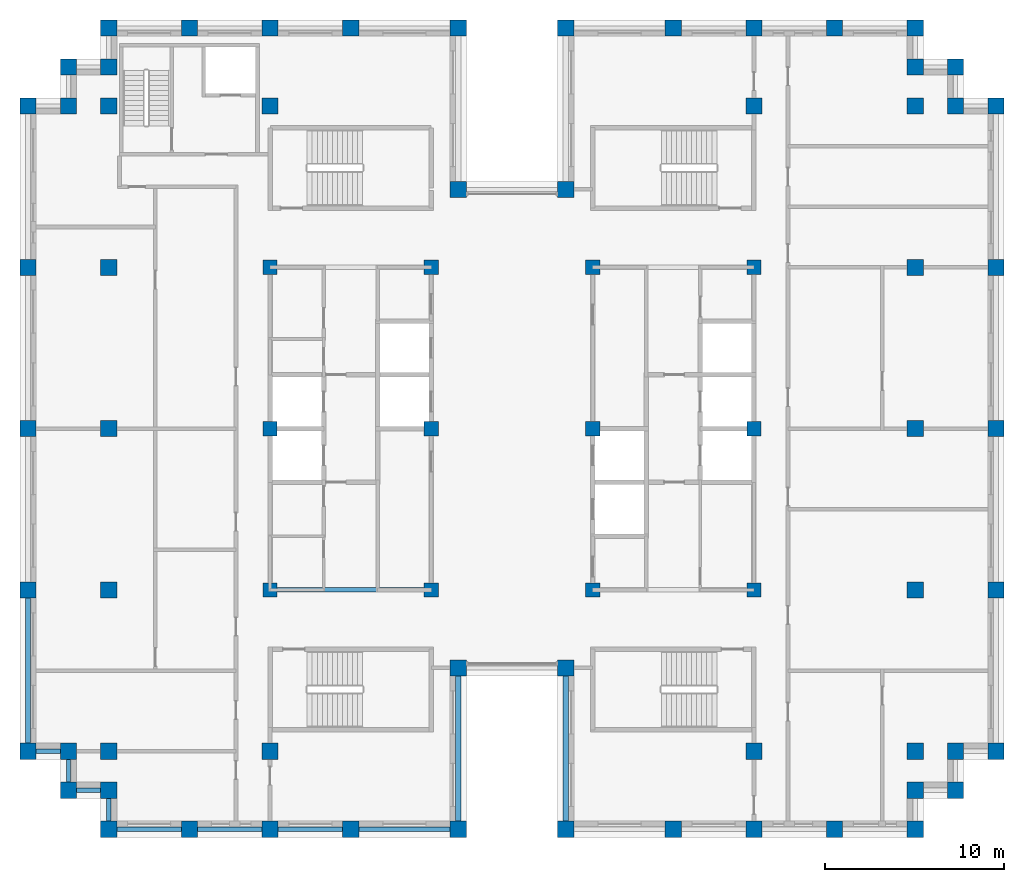
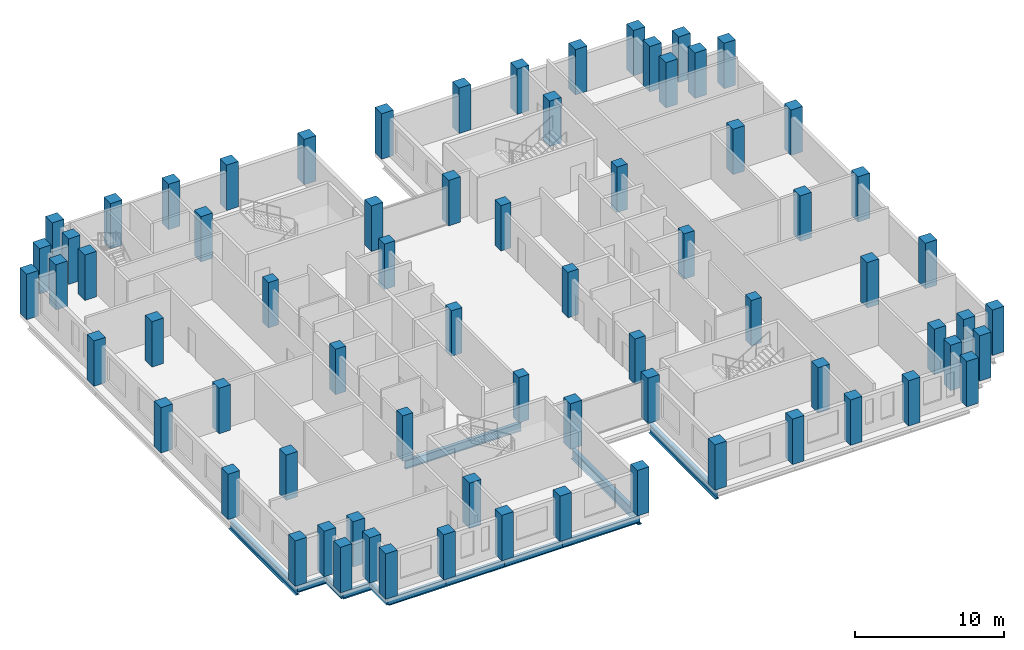
# One storey, part 1 of 13: 72 columns, 12 beams.
"""IFC4 building model written with IfcOpenShell, lengths in metres."""

from ifc_helpers import new_model, si_unit, direction, frame, origin, origin_2d, place, context, subcontext, project, spatial, rectangle, i_section, extrude, material, material_profile, profile_set, type_object, element, save


model = new_model("IFC4")

# Units and contexts
model_context = context("Model", 3, precision=1e-05, world=origin(), true_north=direction((0.0, 1.0)))
body_context = subcontext(model_context, "Body", "Model", "MODEL_VIEW")
ifc_project = project(units=[si_unit("LENGTHUNIT", "METRE"), si_unit("AREAUNIT", "SQUARE_METRE"), si_unit("VOLUMEUNIT", "CUBIC_METRE"), si_unit("PLANEANGLEUNIT", "RADIAN"), si_unit("MASSUNIT", "GRAM", prefix="KILO")], contexts=[model_context])

# Site, building, storey
site_placement = place(None, origin())
site = spatial("IfcSite", under=ifc_project, at=site_placement, CompositionType="ELEMENT")
building_placement = place(site_placement, origin())
building = spatial("IfcBuilding", under=site, at=building_placement, Name="Corbelhall Arena Tower", CompositionType="ELEMENT")
storey_placement = place(building_placement, frame((0.0, 0.0, 262.0)))
storey = spatial("IfcBuildingStorey", under=building, at=storey_placement, Name="L56", CompositionType="ELEMENT", Elevation=262.0)

# Columns
ifc_material_1 = material(Name="Concrete C80/95", Category="concrete")
ifc_material_profile_1 = material_profile(ifc_material_1, rectangle(XDim=0.800048828125, YDim=0.800048828125, at=origin_2d()))
ifc_profile_set_1 = profile_set([ifc_material_profile_1], Name="Concrete C80/95")
column_type_1 = type_object("IfcColumnType", Name="ST-COL-RC 800x800", PredefinedType="COLUMN", material=ifc_profile_set_1)
for number, where, z_axis, x_axis, name in (
    (1, (4.5, 0.0, 0.0), (0.0, 0.0, 1.0), (1.0, 0.0, 0.0), "Column KE+0450+0000"),
    (2, (4.5, 9.0, 0.0), (0.0, 0.0, 1.0), (1.0, 0.0, 0.0), "Column KE+0450+0900"),
    (3, (4.5, -9.0, 0.0), (0.0, 0.0, 1.0), (1.0, 0.0, 0.0), "Column KE+0450-0900"),
    (4, (13.5, 0.0, 0.0), (0.0, 0.0, 1.0), (1.0, 0.0, 0.0), "Column KE+1350+0000"),
    (5, (13.5, 9.0, 0.0), (0.0, 0.0, 1.0), (1.0, 0.0, 0.0), "Column KE+1350+0900"),
    (6, (13.5, -9.0, 0.0), (0.0, 0.0, 1.0), (1.0, 0.0, 0.0), "Column KE+1350-0900"),
    (7, (-4.5, 0.0, 0.0), (0.0, 0.0, 1.0), (1.0, 0.0, 0.0), "Column KW-0450+0000"),
    (8, (-4.5, 9.0, 0.0), (0.0, 0.0, 1.0), (1.0, 0.0, 0.0), "Column KW-0450+0900"),
    (9, (-4.5, -9.0, 0.0), (0.0, 0.0, 1.0), (1.0, 0.0, 0.0), "Column KW-0450-0900"),
    (10, (-13.5, 0.0, 0.0), (0.0, 0.0, 1.0), (1.0, 0.0, 0.0), "Column KW-1350+0000"),
    (11, (-13.5, 9.0, 0.0), (0.0, 0.0, 1.0), (1.0, 0.0, 0.0), "Column KW-1350+0900"),
    (12, (-13.5, -9.0, 0.0), (0.0, 0.0, 1.0), (1.0, 0.0, 0.0), "Column KW-1350-0900"),
):
    element("IfcColumn", number, at=place(storey_placement, frame(where, z_axis=z_axis, x_axis=x_axis)), inside=storey, type_object=column_type_1, Name=name, PredefinedType="COLUMN", context=body_context, shape_type="SweptSolid", body=[
        extrude(rectangle(XDim=0.800048828125, YDim=0.800048828125, at=origin_2d()), origin(), (0.0, 0.0, 1.0), 3.719970703125),
    ])
ifc_material_profile_2 = material_profile(ifc_material_1, rectangle(XDim=0.89990234375, YDim=0.89990234375, at=origin_2d()))
ifc_profile_set_2 = profile_set([ifc_material_profile_2], Name="Concrete C80/95")
column_type_2 = type_object("IfcColumnType", Name="ST-COL-RC 900x900", PredefinedType="COLUMN", material=ifc_profile_set_2)
for number, where, z_axis, x_axis, name in (
    (13, (13.5, 18.0, 0.0), (0.0, 0.0, 1.0), (1.0, 0.0, 0.0), "Column IE13+1800"),
    (14, (13.5, -18.0, 0.0), (0.0, 0.0, 1.0), (1.0, 0.0, 0.0), "Column IE13-1800"),
    (15, (22.5, 0.0, 0.0), (0.0, 0.0, 1.0), (1.0, 0.0, 0.0), "Column IE22+0000"),
    (16, (22.5, 9.0, 0.0), (0.0, 0.0, 1.0), (1.0, 0.0, 0.0), "Column IE22+0900"),
    (17, (22.5, 18.0, 0.0), (0.0, 0.0, 1.0), (1.0, 0.0, 0.0), "Column IE22+1800"),
    (18, (22.5, -9.0, 0.0), (0.0, 0.0, 1.0), (1.0, 0.0, 0.0), "Column IE22-0900"),
    (19, (22.5, -18.0, 0.0), (0.0, 0.0, 1.0), (1.0, 0.0, 0.0), "Column IE22-1800"),
    (20, (-13.5, 18.0, 0.0), (0.0, 0.0, 1.0), (1.0, 0.0, 0.0), "Column IW13+1800"),
    (21, (-13.5, -18.0, 0.0), (0.0, 0.0, 1.0), (1.0, 0.0, 0.0), "Column IW13-1800"),
    (22, (-22.5, 0.0, 0.0), (0.0, 0.0, 1.0), (1.0, 0.0, 0.0), "Column IW22+0000"),
    (23, (-22.5, 9.0, 0.0), (0.0, 0.0, 1.0), (1.0, 0.0, 0.0), "Column IW22+0900"),
    (24, (-22.5, 18.0, 0.0), (0.0, 0.0, 1.0), (1.0, 0.0, 0.0), "Column IW22+1800"),
    (25, (-22.5, -9.0, 0.0), (0.0, 0.0, 1.0), (1.0, 0.0, 0.0), "Column IW22-0900"),
    (26, (-22.5, -18.0, 0.0), (0.0, 0.0, 1.0), (1.0, 0.0, 0.0), "Column IW22-1800"),
    (27, (27.0, 0.0, 0.0), (0.0, 0.0, 1.0), (0.0, 1.0, 0.0), "Column PE+0000"),
    (28, (27.0, 9.0, 0.0), (0.0, 0.0, 1.0), (0.0, 1.0, 0.0), "Column PE+0900"),
    (29, (27.0, 18.0, 0.0), (0.0, 0.0, 1.0), (0.0, 1.0, 0.0), "Column PE+1800"),
    (30, (27.0, -9.0, 0.0), (0.0, 0.0, 1.0), (0.0, 1.0, 0.0), "Column PE-0900"),
    (31, (27.0, -18.0, 0.0), (0.0, 0.0, 1.0), (0.0, 1.0, 0.0), "Column PE-1800"),
    (32, (3.0, 22.35009765625, 0.0), (0.0, 0.0, 1.0), (1.0, 0.0, 0.0), "Column PNE0300"),
    (33, (9.0, 22.35009765625, 0.0), (0.0, 0.0, 1.0), (1.0, 0.0, 0.0), "Column PNE0900"),
    (34, (13.5, 22.35009765625, 0.0), (0.0, 0.0, 1.0), (1.0, 0.0, 0.0), "Column PNE1350"),
    (35, (18.0, 22.35009765625, 0.0), (0.0, 0.0, 1.0), (1.0, 0.0, 0.0), "Column PNE1800"),
    (36, (22.5, 22.35009765625, 0.0), (0.0, 0.0, 1.0), (1.0, 0.0, 0.0), "Column PNE2250"),
    (37, (-3.0, 22.35009765625, 0.0), (0.0, 0.0, 1.0), (1.0, 0.0, 0.0), "Column PNW0300"),
    (38, (-9.0, 22.35009765625, 0.0), (0.0, 0.0, 1.0), (1.0, 0.0, 0.0), "Column PNW0900"),
    (39, (-13.5, 22.35009765625, 0.0), (0.0, 0.0, 1.0), (1.0, 0.0, 0.0), "Column PNW1350"),
    (40, (-18.0, 22.35009765625, 0.0), (0.0, 0.0, 1.0), (1.0, 0.0, 0.0), "Column PNW1800"),
    (41, (-22.5, 22.35009765625, 0.0), (0.0, 0.0, 1.0), (1.0, 0.0, 0.0), "Column PNW2250"),
    (42, (3.0, -22.35009765625, 0.0), (0.0, 0.0, 1.0), (1.0, 0.0, 0.0), "Column PSE0300"),
    (43, (9.0, -22.35009765625, 0.0), (0.0, 0.0, 1.0), (1.0, 0.0, 0.0), "Column PSE0900"),
    (44, (13.5, -22.35009765625, 0.0), (0.0, 0.0, 1.0), (1.0, 0.0, 0.0), "Column PSE1350"),
    (45, (18.0, -22.35009765625, 0.0), (0.0, 0.0, 1.0), (1.0, 0.0, 0.0), "Column PSE1800"),
    (46, (22.5, -22.35009765625, 0.0), (0.0, 0.0, 1.0), (1.0, 0.0, 0.0), "Column PSE2250"),
    (47, (-3.0, -22.35009765625, 0.0), (0.0, 0.0, 1.0), (1.0, 0.0, 0.0), "Column PSW0300"),
    (48, (-9.0, -22.35009765625, 0.0), (0.0, 0.0, 1.0), (1.0, 0.0, 0.0), "Column PSW0900"),
    (49, (-13.5, -22.35009765625, 0.0), (0.0, 0.0, 1.0), (1.0, 0.0, 0.0), "Column PSW1350"),
    (50, (-18.0, -22.35009765625, 0.0), (0.0, 0.0, 1.0), (1.0, 0.0, 0.0), "Column PSW1800"),
    (51, (-22.5, -22.35009765625, 0.0), (0.0, 0.0, 1.0), (1.0, 0.0, 0.0), "Column PSW2250"),
    (52, (-27.0, 0.0, 0.0), (0.0, 0.0, 1.0), (0.0, 1.0, 0.0), "Column PW+0000"),
    (53, (-27.0, 9.0, 0.0), (0.0, 0.0, 1.0), (0.0, 1.0, 0.0), "Column PW+0900"),
    (54, (-27.0, 18.0, 0.0), (0.0, 0.0, 1.0), (0.0, 1.0, 0.0), "Column PW+1800"),
    (55, (-27.0, -9.0, 0.0), (0.0, 0.0, 1.0), (0.0, 1.0, 0.0), "Column PW-0900"),
    (56, (-27.0, -18.0, 0.0), (0.0, 0.0, 1.0), (0.0, 1.0, 0.0), "Column PW-1800"),
    (57, (3.0, 13.35009765625, 0.0), (0.0, 0.0, 1.0), (1.0, 0.0, 0.0), "Column SLNE2"),
    (58, (-3.0, 13.35009765625, 0.0), (0.0, 0.0, 1.0), (1.0, 0.0, 0.0), "Column SLNW2"),
    (59, (3.0, -13.35009765625, 0.0), (0.0, 0.0, 1.0), (1.0, 0.0, 0.0), "Column SLSE2"),
    (60, (-3.0, -13.35009765625, 0.0), (0.0, 0.0, 1.0), (1.0, 0.0, 0.0), "Column SLSW2"),
    (61, (22.5, 20.175048828125, 0.0), (0.0, 0.0, 1.0), (1.0, 0.0, 0.0), "Column XNE1"),
    (62, (24.75, 20.175048828125, 0.0), (0.0, 0.0, 1.0), (1.0, 0.0, 0.0), "Column XNE2"),
    (63, (24.75, 18.0, 0.0), (0.0, 0.0, 1.0), (1.0, 0.0, 0.0), "Column XNE3"),
    (64, (-22.5, 20.175048828125, 0.0), (0.0, 0.0, 1.0), (1.0, 0.0, 0.0), "Column XNW1"),
    (65, (-24.75, 20.175048828125, 0.0), (0.0, 0.0, 1.0), (1.0, 0.0, 0.0), "Column XNW2"),
    (66, (-24.75, 18.0, 0.0), (0.0, 0.0, 1.0), (1.0, 0.0, 0.0), "Column XNW3"),
    (67, (22.5, -20.175048828125, 0.0), (0.0, 0.0, 1.0), (1.0, 0.0, 0.0), "Column XSE1"),
    (68, (24.75, -20.175048828125, 0.0), (0.0, 0.0, 1.0), (1.0, 0.0, 0.0), "Column XSE2"),
    (69, (24.75, -18.0, 0.0), (0.0, 0.0, 1.0), (1.0, 0.0, 0.0), "Column XSE3"),
    (70, (-22.5, -20.175048828125, 0.0), (0.0, 0.0, 1.0), (1.0, 0.0, 0.0), "Column XSW1"),
    (71, (-24.75, -20.175048828125, 0.0), (0.0, 0.0, 1.0), (1.0, 0.0, 0.0), "Column XSW2"),
    (72, (-24.75, -18.0, 0.0), (0.0, 0.0, 1.0), (1.0, 0.0, 0.0), "Column XSW3"),
):
    element("IfcColumn", number, at=place(storey_placement, frame(where, z_axis=z_axis, x_axis=x_axis)), inside=storey, type_object=column_type_2, Name=name, PredefinedType="COLUMN", context=body_context, shape_type="SweptSolid", body=[
        extrude(rectangle(XDim=0.89990234375, YDim=0.89990234375, at=origin_2d()), origin(), (0.0, 0.0, 1.0), 3.719970703125),
    ])

# Beams
ifc_material_2 = material(Name="Steel ASTM A992 Gr50", Category="steel")
ifc_material_profile_3 = material_profile(ifc_material_2, i_section(OverallWidth=0.25390625, OverallDepth=0.67822265625, WebThickness=0.01171875, FlangeThickness=0.016357421875, at=origin_2d()))
ifc_profile_set_3 = profile_set([ifc_material_profile_3], Name="Steel ASTM A992 Gr50")
beam_type_1 = type_object("IfcBeamType", Name="ST-BEAM-W27x84", PredefinedType="BEAM", material=ifc_profile_set_3)
beam_1_placement = place(storey_placement, frame((-13.5, -9.0, -0.619140625), z_axis=(1.0, 0.0, 0.0), x_axis=(0.0, 1.0, 0.0)))
element("IfcBeam", 73, at=beam_1_placement, inside=storey, type_object=beam_type_1, Name="Beam CEW 5", PredefinedType="BEAM", context=body_context, shape_type="SweptSolid", body=[
    extrude(i_section(OverallWidth=0.25390625, OverallDepth=0.67822265625, WebThickness=0.01171875, FlangeThickness=0.016357421875, at=origin_2d()), origin(), (0.0, 0.0, 1.0), 9.0),
])
ifc_material_profile_4 = material_profile(ifc_material_2, i_section(OverallWidth=0.227783203125, OverallDepth=0.60205078125, WebThickness=0.010498046875, FlangeThickness=0.014892578125, at=origin_2d()))
ifc_profile_set_4 = profile_set([ifc_material_profile_4], Name="Steel ASTM A992 Gr50")
beam_type_2 = type_object("IfcBeamType", Name="ST-SPANDREL-W24x68", PredefinedType="SPANDREL", material=ifc_profile_set_4)
beam_2_placement = place(storey_placement, frame((-3.0, -22.35009765625, -0.5810546875), z_axis=(-1.0, 0.0, 0.0), x_axis=(0.0, -1.0, 0.0)))
element("IfcBeam", 74, at=beam_2_placement, inside=storey, type_object=beam_type_2, Name="Beam SP 21", PredefinedType="SPANDREL", context=body_context, shape_type="SweptSolid", body=[
    extrude(i_section(OverallWidth=0.227783203125, OverallDepth=0.60205078125, WebThickness=0.010498046875, FlangeThickness=0.014892578125, at=origin_2d()), origin(), (0.0, 0.0, 1.0), 6.0),
])
for number, where, z_axis, x_axis, name in (
    (75, (-9.0, -22.35009765625, -0.5810546875), (-1.0, 0.0, 0.0), (0.0, -1.0, 0.0), "Beam SP 22"),
    (76, (-13.5, -22.35009765625, -0.5810546875), (-1.0, 0.0, 0.0), (0.0, -1.0, 0.0), "Beam SP 23"),
    (77, (-18.0, -22.35009765625, -0.5810546875), (-1.0, 0.0, 0.0), (0.0, -1.0, 0.0), "Beam SP 24"),
):
    element("IfcBeam", number, at=place(storey_placement, frame(where, z_axis=z_axis, x_axis=x_axis)), inside=storey, type_object=beam_type_2, Name=name, PredefinedType="SPANDREL", context=body_context, shape_type="SweptSolid", body=[
        extrude(i_section(OverallWidth=0.227783203125, OverallDepth=0.60205078125, WebThickness=0.010498046875, FlangeThickness=0.014892578125, at=origin_2d()), origin(), (0.0, 0.0, 1.0), 4.5),
    ])
beam_3_placement = place(storey_placement, frame((-22.5, -22.35009765625, -0.5810546875), z_axis=(0.0, 1.0, 0.0), x_axis=(-1.0, 0.0, 0.0)))
element("IfcBeam", 78, at=beam_3_placement, inside=storey, type_object=beam_type_2, Name="Beam SP 25", PredefinedType="SPANDREL", context=body_context, shape_type="SweptSolid", body=[
    extrude(i_section(OverallWidth=0.227783203125, OverallDepth=0.60205078125, WebThickness=0.010498046875, FlangeThickness=0.014892578125, at=origin_2d()), origin(), (0.0, 0.0, 1.0), 2.175048828125),
])
beam_4_placement = place(storey_placement, frame((-22.5, -20.175048828125, -0.5810546875), z_axis=(-1.0, 0.0, 0.0), x_axis=(0.0, -1.0, 0.0)))
element("IfcBeam", 79, at=beam_4_placement, inside=storey, type_object=beam_type_2, Name="Beam SP 44", PredefinedType="SPANDREL", context=body_context, shape_type="SweptSolid", body=[
    extrude(i_section(OverallWidth=0.227783203125, OverallDepth=0.60205078125, WebThickness=0.010498046875, FlangeThickness=0.014892578125, at=origin_2d()), origin(), (0.0, 0.0, 1.0), 2.25),
])
beam_5_placement = place(storey_placement, frame((-24.75, -20.175048828125, -0.5810546875), z_axis=(0.0, 1.0, 0.0), x_axis=(-1.0, 0.0, 0.0)))
element("IfcBeam", 80, at=beam_5_placement, inside=storey, type_object=beam_type_2, Name="Beam SP 45", PredefinedType="SPANDREL", context=body_context, shape_type="SweptSolid", body=[
    extrude(i_section(OverallWidth=0.227783203125, OverallDepth=0.60205078125, WebThickness=0.010498046875, FlangeThickness=0.014892578125, at=origin_2d()), origin(), (0.0, 0.0, 1.0), 2.175048828125),
])
beam_6_placement = place(storey_placement, frame((-24.75, -18.0, -0.5810546875), z_axis=(-1.0, 0.0, 0.0), x_axis=(0.0, -1.0, 0.0)))
element("IfcBeam", 81, at=beam_6_placement, inside=storey, type_object=beam_type_2, Name="Beam SP 46", PredefinedType="SPANDREL", context=body_context, shape_type="SweptSolid", body=[
    extrude(i_section(OverallWidth=0.227783203125, OverallDepth=0.60205078125, WebThickness=0.010498046875, FlangeThickness=0.014892578125, at=origin_2d()), origin(), (0.0, 0.0, 1.0), 2.25),
])
ifc_material_profile_5 = material_profile(ifc_material_2, i_section(OverallWidth=0.2919921875, OverallDepth=0.845703125, WebThickness=0.015380859375, FlangeThickness=0.0244140625, at=origin_2d()))
ifc_profile_set_5 = profile_set([ifc_material_profile_5], Name="Steel ASTM A992 Gr50")
beam_type_3 = type_object("IfcBeamType", Name="ST-SPANDREL-W33x141", PredefinedType="SPANDREL", material=ifc_profile_set_5)
for number, where, z_axis, x_axis, name in (
    (82, (3.0, -22.35009765625, -0.702880859375), (0.0, 1.0, 0.0), (-1.0, 0.0, 0.0), "Beam SP 16"),
    (83, (-27.0, -18.0, -0.702880859375), (0.0, 1.0, 0.0), (-1.0, 0.0, 0.0), "Beam SP 30"),
    (84, (-3.0, -13.35009765625, -0.702880859375), (0.0, -1.0, 0.0), (1.0, 0.0, 0.0), "Beam SP 34"),
):
    element("IfcBeam", number, at=place(storey_placement, frame(where, z_axis=z_axis, x_axis=x_axis)), inside=storey, type_object=beam_type_3, Name=name, PredefinedType="SPANDREL", context=body_context, shape_type="SweptSolid", body=[
        extrude(i_section(OverallWidth=0.2919921875, OverallDepth=0.845703125, WebThickness=0.015380859375, FlangeThickness=0.0244140625, at=origin_2d()), origin(), (0.0, 0.0, 1.0), 9.0),
    ])

save(model, "model.ifc")
